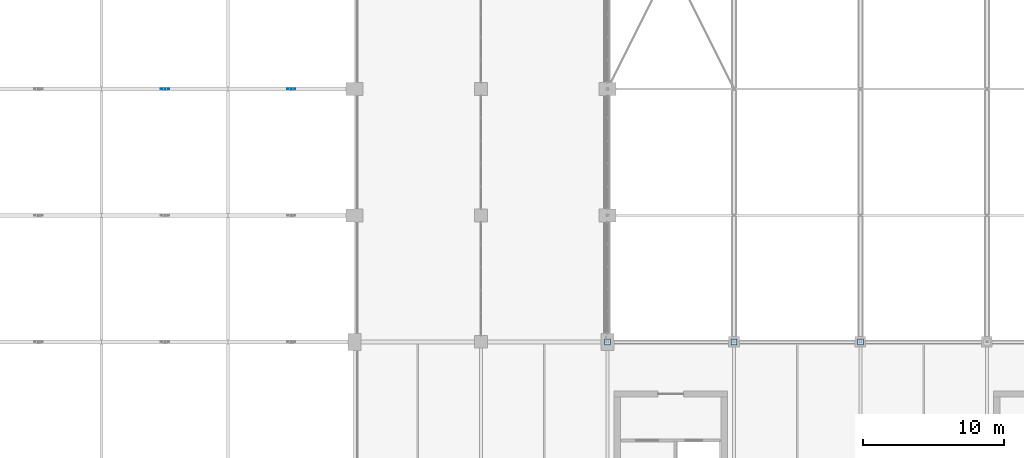
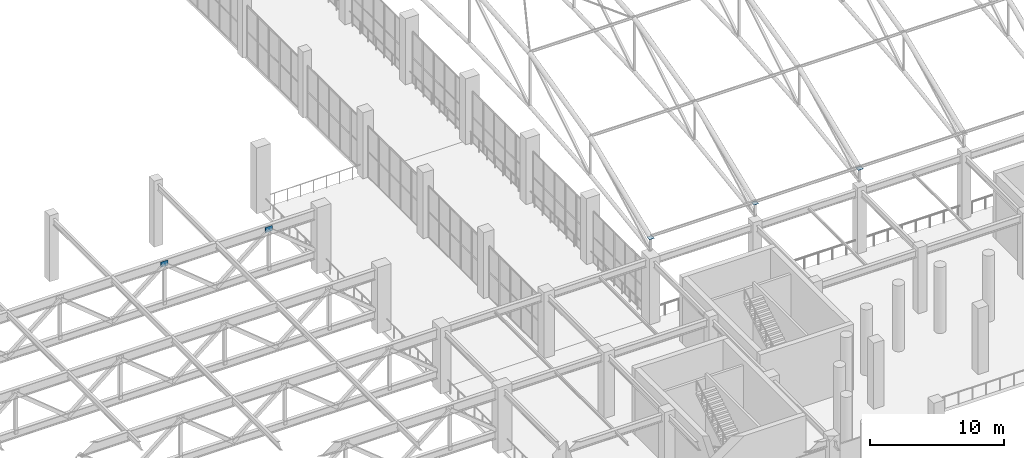
# One storey, part 186 of 223: 5 plates.
"""IFC4 building model written with IfcOpenShell, lengths in metres."""

from ifc_helpers import new_model, si_unit, direction, frame, origin, origin_2d, place, context, subcontext, project, spatial, rectangle, extrude, material, layer, layer_set, type_object, element, save


model = new_model("IFC4")

# Units and contexts
model_context = context("Model", 3, precision=1e-05, world=origin(), true_north=direction((0.0, 1.0)))
body_context = subcontext(model_context, "Body", "Model", "MODEL_VIEW")
ifc_project = project(units=[si_unit("LENGTHUNIT", "METRE"), si_unit("AREAUNIT", "SQUARE_METRE"), si_unit("VOLUMEUNIT", "CUBIC_METRE"), si_unit("PLANEANGLEUNIT", "RADIAN"), si_unit("MASSUNIT", "GRAM", prefix="KILO")], contexts=[model_context])

# Site, building, storey
site_placement = place(None, origin())
site = spatial("IfcSite", under=ifc_project, at=site_placement, CompositionType="ELEMENT")
building_placement = place(site_placement, origin())
building = spatial("IfcBuilding", under=site, at=building_placement, Name="Dornveld Trade and Exhibition Forum", CompositionType="ELEMENT")
storey_placement = place(building_placement, frame((0.0, 0.0, 6.0)))
storey = spatial("IfcBuildingStorey", under=building, at=storey_placement, Name="L01", CompositionType="ELEMENT", Elevation=6.0)

# Plates
ifc_material_1 = material(Name="Steel S355J2", Category="steel")
ifc_layer_1 = layer(ifc_material_1, 0.01611328125)
ifc_layer_set_1 = layer_set([ifc_layer_1], Name="Steel S355J2")
plate_type_1 = type_object("IfcPlateType", Name="PL-CAP-420x16", PredefinedType="SHEET", material=ifc_layer_set_1)
for number, where, z_axis, x_axis, name in (
    (1, (99.0, 108.0, 7.44189453125), (0.0, 0.0, 1.0), (1.0, 0.0, 0.0), "H1 truss 1 hollow end cap 1"),
    (2, (108.0, 108.0, 7.44189453125), (0.0, 0.0, 1.0), (1.0, 0.0, 0.0), "H1 truss 2 hollow end cap 1"),
    (3, (117.0, 108.0, 7.44189453125), (0.0, 0.0, 1.0), (1.0, 0.0, 0.0), "H1 truss 3 hollow end cap 1"),
):
    element("IfcPlate", number, at=place(storey_placement, frame(where, z_axis=z_axis, x_axis=x_axis)), inside=storey, type_object=plate_type_1, Name=name, PredefinedType="SHEET", context=body_context, shape_type="SweptSolid", body=[
        extrude(rectangle(XDim=0.419921875, YDim=0.419921875, at=origin_2d()), origin(), (0.0, 0.0, 1.0), 0.01611328125),
    ])
ifc_material_2 = material(Name="Steel S355J2", Category="steel")
ifc_layer_2 = layer(ifc_material_2, 0.031982421875)
ifc_layer_set_2 = layer_set([ifc_layer_2], Name="Steel S355J2")
plate_type_2 = type_object("IfcPlateType", Name="PL-GUS-600x32", PredefinedType="USERDEFINED", material=ifc_layer_set_2)
for number, where, z_axis, x_axis, name in (
    (4, (67.5, 126.0, 4.945068359375), (0.0, 0.0, 1.0), (1.0, 0.0, 0.0), "Transfer truss gusset plate 59"),
    (5, (76.5, 126.0, 4.945068359375), (0.0, 0.0, 1.0), (1.0, 0.0, 0.0), "Transfer truss gusset plate 60"),
):
    element("IfcPlate", number, at=place(storey_placement, frame(where, z_axis=z_axis, x_axis=x_axis)), inside=storey, type_object=plate_type_2, Name=name, ObjectType="GUSSET", PredefinedType="USERDEFINED", context=body_context, shape_type="SweptSolid", body=[
        extrude(rectangle(XDim=0.60009765625, YDim=0.031982421875, at=origin_2d()), origin(), (0.0, 0.0, 1.0), 0.47998046875),
    ])

save(model, "model.ifc")
